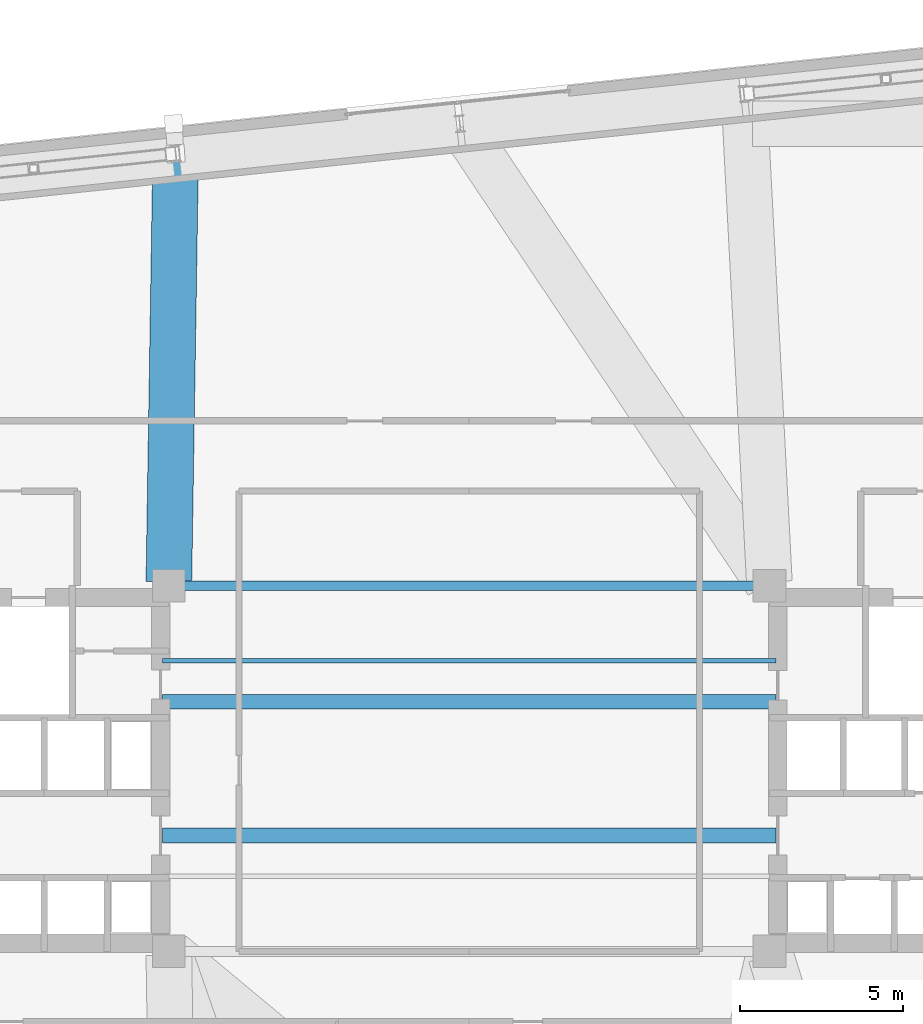
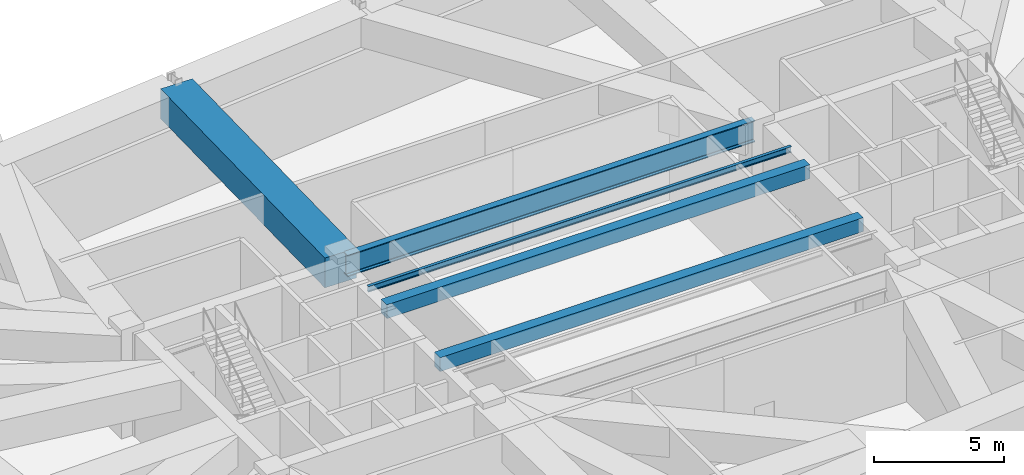
# One storey, part 8 of 23: 5 beams.
"""IFC4 building model written with IfcOpenShell, lengths in metres."""

from ifc_helpers import new_model, si_unit, direction, frame, origin, origin_2d, place, context, subcontext, project, spatial, rectangle, i_section, extrude, material, material_profile, profile_set, type_object, element, save


model = new_model("IFC4")

# Units and contexts
model_context = context("Model", 3, precision=1e-05, world=origin(), true_north=direction((0.0, 1.0)))
body_context = subcontext(model_context, "Body", "Model", "MODEL_VIEW")
ifc_project = project(units=[si_unit("LENGTHUNIT", "METRE"), si_unit("AREAUNIT", "SQUARE_METRE"), si_unit("VOLUMEUNIT", "CUBIC_METRE"), si_unit("PLANEANGLEUNIT", "RADIAN"), si_unit("MASSUNIT", "GRAM", prefix="KILO")], contexts=[model_context])

# Site, building, storey
site_placement = place(None, origin())
site = spatial("IfcSite", under=ifc_project, at=site_placement, CompositionType="ELEMENT")
building_placement = place(site_placement, origin())
building = spatial("IfcBuilding", under=site, at=building_placement, Name="Qobustan Lattice House", CompositionType="ELEMENT")
storey_placement = place(building_placement, frame((0.0, 0.0, 125.89990234375)))
storey = spatial("IfcBuildingStorey", under=building, at=storey_placement, Name="L35", CompositionType="ELEMENT", Elevation=125.89990234375)

# Beams
ifc_material_1 = material(Name="Steel S355", Category="steel")
ifc_material_profile_1 = material_profile(ifc_material_1, i_section(OverallWidth=0.135009765625, OverallDepth=0.27001953125, WebThickness=0.006591796875, FlangeThickness=0.01025390625, FilletRadius=0.014892578125, at=origin_2d()), Name="IPE270")
ifc_profile_set_1 = profile_set([ifc_material_profile_1], Name="Steel S355")
beam_type_1 = type_object("IfcBeamType", Name="BM-JST-IPE270", PredefinedType="JOIST", material=ifc_profile_set_1)
beam_1_placement = place(storey_placement, frame((-9.39990234375, 3.300048828125, 4.68505859375), z_axis=(1.0, 0.0, 0.0), x_axis=(0.0, 1.0, 0.0)))
element("IfcBeam", 1, at=beam_1_placement, inside=storey, type_object=beam_type_1, Name="L35 central span floor joist 2", PredefinedType="JOIST", context=body_context, shape_type="SweptSolid", body=[
    extrude(i_section(OverallWidth=0.135009765625, OverallDepth=0.27001953125, WebThickness=0.006591796875, FlangeThickness=0.01025390625, FilletRadius=0.014892578125, at=origin_2d()), origin(), (0.0, 0.0, 1.0), 18.7998046875),
])
ifc_material_2 = material(Name="Concrete C50/60", Category="concrete")
ifc_material_profile_2 = material_profile(ifc_material_2, rectangle(XDim=0.449951171875, YDim=0.64990234375, at=origin_2d()), Name="RC450x650")
ifc_profile_set_2 = profile_set([ifc_material_profile_2], Name="Concrete C50/60")
beam_type_2 = type_object("IfcBeamType", Name="BM-LINTEL-450x650", PredefinedType="LINTEL", material=ifc_profile_set_2)
for number, where, z_axis, x_axis, name in (
    (2, (-9.39990234375, -2.050048828125, 4.4951171875), (1.0, 0.0, 0.0), (0.0, 1.0, 0.0), "L35 reinforced concrete portal lintel LN-W1"),
    (3, (-9.39990234375, 2.050048828125, 4.4951171875), (1.0, 0.0, 0.0), (0.0, 1.0, 0.0), "L35 reinforced concrete portal lintel LN-E1"),
):
    element("IfcBeam", number, at=place(storey_placement, frame(where, z_axis=z_axis, x_axis=x_axis)), inside=storey, type_object=beam_type_2, Name=name, PredefinedType="LINTEL", context=body_context, shape_type="SweptSolid", body=[
        extrude(rectangle(XDim=0.449951171875, YDim=0.64990234375, at=origin_2d()), origin(), (0.0, 0.0, 1.0), 18.7998046875),
    ])
ifc_material_3 = material(Name="Steel S355", Category="steel")
ifc_material_profile_3 = material_profile(ifc_material_3, i_section(OverallWidth=0.302001953125, OverallDepth=1.008056640625, WebThickness=0.02099609375, FlangeThickness=0.0400390625, FilletRadius=0.030029296875, at=origin_2d()), Name="HEM1000")
ifc_profile_set_3 = profile_set([ifc_material_profile_3], Name="Steel S355")
beam_type_3 = type_object("IfcBeamType", Name="BM-TRG-HEM1000", PredefinedType="USERDEFINED", material=ifc_profile_set_3)
beam_2_placement = place(storey_placement, frame((-9.050048828125, 5.60009765625, 4.316162109375), z_axis=(1.0, 0.0, 0.0), x_axis=(0.0, 1.0, 0.0)))
element("IfcBeam", 4, at=beam_2_placement, inside=storey, type_object=beam_type_3, Name="L35 core spine girder CG-CN", ObjectType="GIRDER", PredefinedType="USERDEFINED", context=body_context, shape_type="SweptSolid", body=[
    extrude(i_section(OverallWidth=0.302001953125, OverallDepth=1.008056640625, WebThickness=0.02099609375, FlangeThickness=0.0400390625, FilletRadius=0.030029296875, at=origin_2d()), origin(), (0.0, 0.0, 1.0), 18.10009765625),
])
ifc_material_4 = material(Name="Concrete C60/75", Category="concrete")
ifc_material_profile_4 = material_profile(ifc_material_4, rectangle(XDim=1.39990234375, YDim=1.39990234375, at=origin_2d()), Name="RC1400x1400")
ifc_profile_set_4 = profile_set([ifc_material_profile_4], Name="Concrete C60/75")
beam_type_4 = type_object("IfcBeamType", Name="BM-TRG-RC1400", PredefinedType="USERDEFINED", material=ifc_profile_set_4)
beam_3_placement = place(storey_placement, frame((-9.197998046875, 5.719970703125, 4.1201171875), z_axis=(0.015946426112, 0.999872847663, 0.0), x_axis=(-0.999872847663, 0.015946426112, 0.0)))
element("IfcBeam", 5, at=beam_3_placement, inside=storey, type_object=beam_type_4, Name="L35 TT2 radial transfer girder N5", ObjectType="GIRDER", PredefinedType="USERDEFINED", context=body_context, shape_type="SweptSolid", body=[
    extrude(rectangle(XDim=1.39990234375, YDim=1.39990234375, at=origin_2d()), origin(), (0.0, 0.0, 1.0), 12.998291015625),
])

save(model, "model.ifc")
